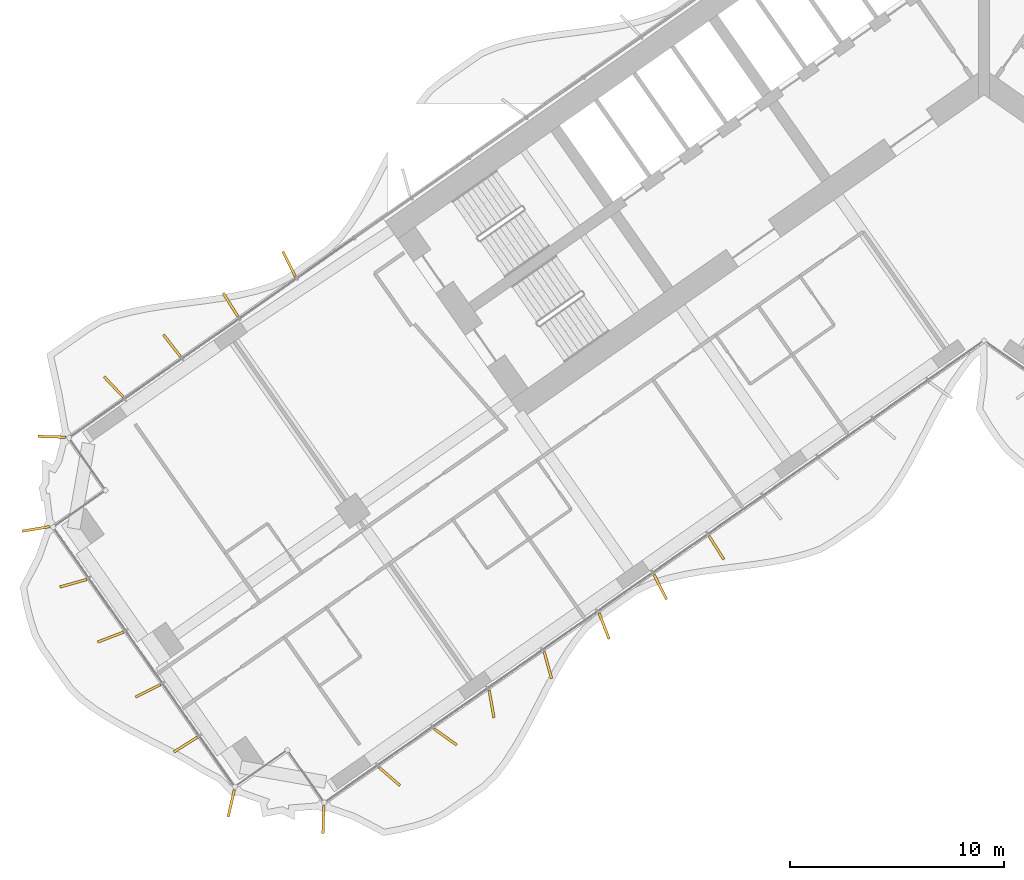
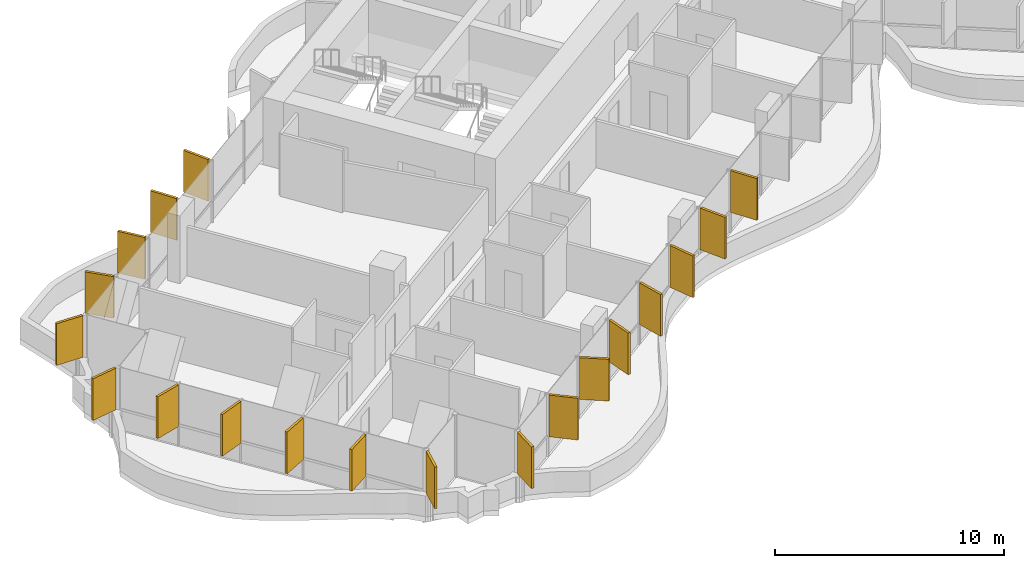
# One storey, part 18 of 23: 19 shading devices.
"""IFC4 building model written with IfcOpenShell, lengths in metres."""

from ifc_helpers import new_model, si_unit, direction, frame, origin, origin_2d, place, context, subcontext, project, spatial, rectangle, extrude, material, layer, layer_set, type_object, element, save


model = new_model("IFC4")

# Units and contexts
model_context = context("Model", 3, precision=1e-05, world=origin(), true_north=direction((0.0, 1.0)))
body_context = subcontext(model_context, "Body", "Model", "MODEL_VIEW")
ifc_project = project(units=[si_unit("LENGTHUNIT", "METRE"), si_unit("AREAUNIT", "SQUARE_METRE"), si_unit("VOLUMEUNIT", "CUBIC_METRE"), si_unit("PLANEANGLEUNIT", "RADIAN"), si_unit("MASSUNIT", "GRAM", prefix="KILO")], contexts=[model_context])

# Site, building, storey
site_placement = place(None, origin())
site = spatial("IfcSite", under=ifc_project, at=site_placement, CompositionType="ELEMENT")
building_placement = place(site_placement, origin())
building = spatial("IfcBuilding", under=site, at=building_placement, Name="Tel Ilan Convention Tower", CompositionType="ELEMENT")
storey_placement = place(building_placement, frame((0.0, 0.0, 94.10009765625)))
storey = spatial("IfcBuildingStorey", under=building, at=storey_placement, Name="L19", CompositionType="ELEMENT", Elevation=94.10009765625)

# Shading devices
ifc_material = material(Name="Aluminium, bronze anodised", Category="aluminium")
ifc_layer = layer(ifc_material, 0.1201171875)
ifc_layer_set = layer_set([ifc_layer], Name="FIN BRONZE 1300x120")
shading_device_type = type_object("IfcShadingDeviceType", Name="FIN BRONZE 1300x120", PredefinedType="USERDEFINED", material=ifc_layer_set)
for number, where, z_axis, x_axis, name in (
    (1, (-32.459716796875, -9.115234375, 1.10009765625), (0.0, 0.0, 1.0), (-0.448799180206, 0.893632640321, 0.0), "FIN"),
    (2, (-35.191650390625, -11.02783203125, 1.10009765625), (0.0, 0.0, 1.0), (-0.533204432798, 0.845986425922, 0.0), "FIN"),
    (3, (-37.92333984375, -12.940673828125, 1.10009765625), (0.0, 0.0, 1.0), (-0.612600545196, 0.790392669516, 0.0), "FIN"),
    (4, (-40.65478515625, -14.853515625, 1.10009765625), (0.0, 0.0, 1.0), (-0.686241637865, 0.727373641577, 0.0), "FIN"),
    (5, (-43.542236328125, -17.189453125, 1.10009765625), (0.0, 0.0, 1.0), (-0.999576950082, 0.029084718749, 0.0), "FIN"),
    (6, (-44.281494140625, -21.4912109375, 1.10009765625), (0.0, 0.0, 1.0), (-0.986445172547, -0.16409119891, 0.0), "FIN"),
    (7, (-42.54248046875, -24.031005859375, 1.10009765625), (0.0, 0.0, 1.0), (-0.963370878614, -0.268172612768, 0.0), "FIN"),
    (8, (-40.79736328125, -26.544921875, 1.10009765625), (0.0, 0.0, 1.0), (-0.932883704733, -0.360177724803, 0.0), "FIN"),
    (9, (-39.04638671875, -29.056884765625, 1.10009765625), (0.0, 0.0, 1.0), (-0.893632640321, -0.448799180206, 0.0), "FIN"),
    (10, (-37.2900390625, -31.56591796875, 1.10009765625), (0.0, 0.0, 1.0), (-0.845986425922, -0.533204432798, 0.0), "FIN"),
    (11, (-35.16162109375, -34.3115234375, 1.10009765625), (0.0, 0.0, 1.0), (-0.221170268371, -0.975235208752, 0.0), "FIN"),
    (12, (-30.859619140625, -35.06982421875, 1.10009765625), (0.0, 0.0, 1.0), (-0.029084718749, -0.999576950082, 0.0), "FIN"),
    (13, (-27.771728515625, -33.05126953125, 1.10009765625), (0.0, 0.0, 1.0), (0.753435896329, -0.657521368568, 0.0), "FIN"),
    (14, (-25.159423828125, -31.20703125, 1.10009765625), (0.0, 0.0, 1.0), (0.813552070258, -0.581492071294, 0.0), "FIN"),
    (15, (-23.00244140625, -29.674072265625, 1.10009765625), (0.0, 0.0, 1.0), (0.173648177667, -0.984807753012, 0.0), "FIN"),
    (16, (-20.3740234375, -27.856201171875, 1.10009765625), (0.0, 0.0, 1.0), (0.268172612768, -0.963370878614, 0.0), "FIN"),
    (17, (-17.74755859375, -26.0322265625, 1.10009765625), (0.0, 0.0, 1.0), (0.360177724803, -0.932883704733, 0.0), "FIN"),
    (18, (-15.123291015625, -24.20263671875, 1.10009765625), (0.0, 0.0, 1.0), (0.448799180206, -0.893632640321, 0.0), "FIN"),
    (19, (-12.501708984375, -22.367431640625, 1.10009765625), (0.0, 0.0, 1.0), (0.533204432798, -0.845986425922, 0.0), "FIN"),
):
    element("IfcShadingDevice", number, at=place(storey_placement, frame(where, z_axis=z_axis, x_axis=x_axis)), inside=storey, type_object=shading_device_type, Name=name, ObjectType="FIN", PredefinedType="USERDEFINED", context=body_context, shape_type="SweptSolid", body=[
        extrude(rectangle(XDim=1.300048828125, YDim=0.1201171875, at=origin_2d()), origin(), (0.0, 0.0, 1.0), 2.219970703125),
    ])

save(model, "model.ifc")
